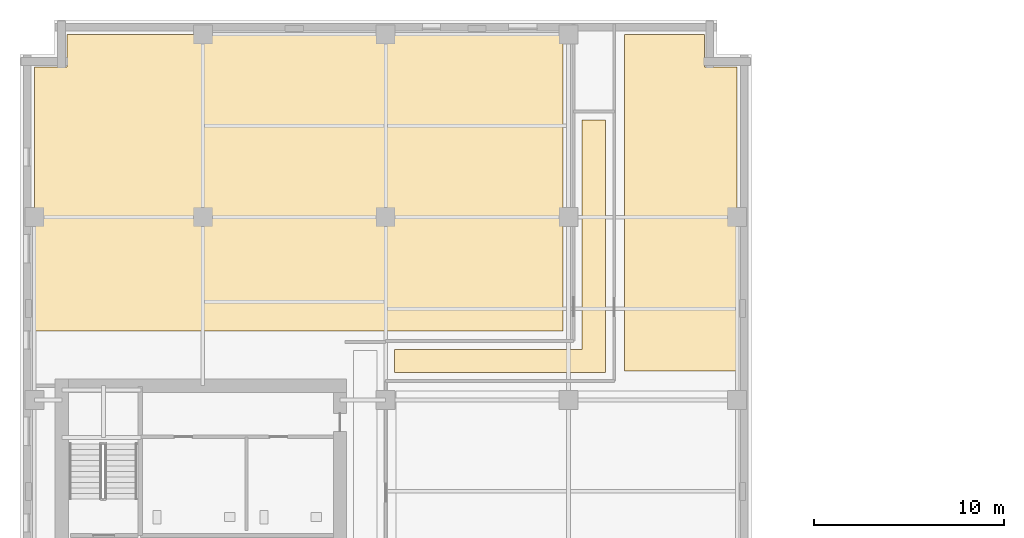
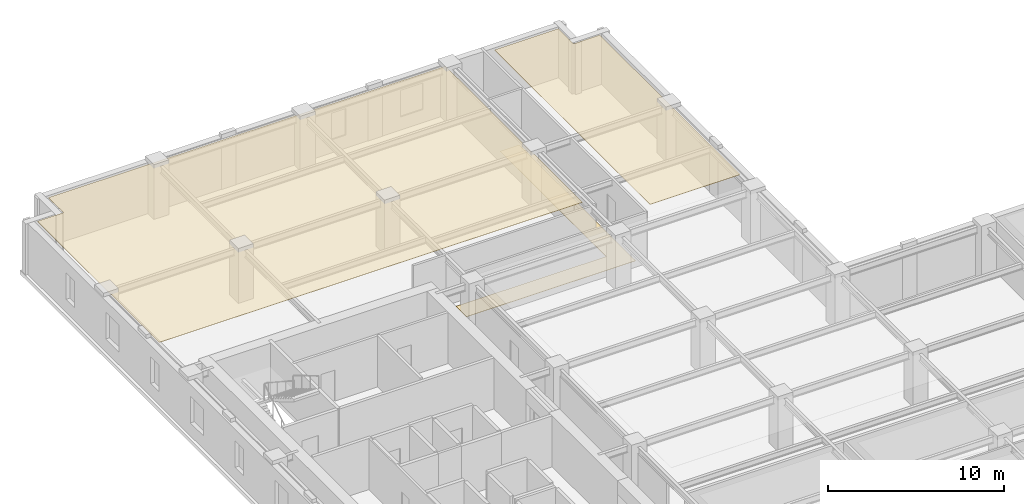
# One storey, part 11 of 12: 3 coverings.
"""IFC4 building model written with IfcOpenShell, lengths in metres."""

from ifc_helpers import new_model, si_unit, direction, frame, origin, place, context, subcontext, project, spatial, polyline, outline, extrude, material, layer, layer_set, type_object, element, save


model = new_model("IFC4")

# Units and contexts
model_context = context("Model", 3, precision=1e-05, world=origin(), true_north=direction((0.0, 1.0)))
body_context = subcontext(model_context, "Body", "Model", "MODEL_VIEW")
ifc_project = project(units=[si_unit("LENGTHUNIT", "METRE"), si_unit("AREAUNIT", "SQUARE_METRE"), si_unit("VOLUMEUNIT", "CUBIC_METRE"), si_unit("PLANEANGLEUNIT", "RADIAN"), si_unit("MASSUNIT", "GRAM", prefix="KILO")], contexts=[model_context])

# Site, building, storey
site_placement = place(None, origin())
site = spatial("IfcSite", under=ifc_project, at=site_placement, CompositionType="ELEMENT")
building_placement = place(site_placement, origin())
building = spatial("IfcBuilding", under=site, at=building_placement, Name="Norrvale University Quadrangle", CompositionType="ELEMENT")
storey_placement = place(building_placement, frame((0.0, 0.0, 143.199951171875)))
storey = spatial("IfcBuildingStorey", under=building, at=storey_placement, Name="L36", CompositionType="ELEMENT", Elevation=143.199951171875)

# Coverings
ifc_material_1 = material(Name="Perforated Acoustic Mineral Ceiling")
ifc_layer_1 = layer(ifc_material_1, 0.02490234375, Name="Perforated Acoustic Mineral Ceiling")
ifc_layer_set_1 = layer_set([ifc_layer_1], Name="Perforated Acoustic Mineral Ceiling")
covering_type_1 = type_object("IfcCoveringType", Name="Covering Acoustic Ceiling 25", PredefinedType="CEILING", material=ifc_layer_set_1)
covering_1_placement = place(storey_placement, frame((0.0, 0.0, 3.51513671875)))
element("IfcCovering", 1, at=covering_1_placement, inside=storey, type_object=covering_type_1, Name="Acoustic Ceiling RM-L36-NE01", PredefinedType="CEILING", context=body_context, shape_type="SweptSolid", body=[
    extrude(outline(polyline([(37.64990234375, 48.780029296875), (31.72998046875, 48.780029296875), (31.72998046875, 66.449951171875), (35.929931640625, 66.449951171875), (35.929931640625, 64.72998046875), (37.64990234375, 64.72998046875), (37.64990234375, 48.780029296875)])), origin(), (0.0, 0.0, 1.0), 0.02490234375),
])
covering_2_placement = place(storey_placement, frame((0.0, 0.0, 3.51513671875)))
element("IfcCovering", 2, at=covering_2_placement, inside=storey, type_object=covering_type_1, Name="Acoustic Ceiling RM-L36-NW01", PredefinedType="CEILING", context=body_context, shape_type="SweptSolid", body=[
    extrude(outline(polyline([(28.52001953125, 66.449951171875), (28.52001953125, 50.8798828125), (0.75, 50.8798828125), (0.75, 64.72998046875), (2.469970703125, 64.72998046875), (2.469970703125, 66.449951171875), (28.52001953125, 66.449951171875)])), origin(), (0.0, 0.0, 1.0), 0.02490234375),
])
ifc_material_2 = material(Name="Polished Terrazzo Flooring")
ifc_layer_2 = layer(ifc_material_2, 0.02490234375, Name="Polished Terrazzo Flooring")
ifc_layer_set_2 = layer_set([ifc_layer_2], Name="Polished Terrazzo Flooring")
covering_type_2 = type_object("IfcCoveringType", Name="Covering Terrazzo Floor 30", PredefinedType="FLOORING", material=ifc_layer_set_2)
covering_3_placement = place(storey_placement, origin())
element("IfcCovering", 3, at=covering_3_placement, inside=storey, type_object=covering_type_2, Name="Terrazzo Flooring RM-L36-NCJOG", PredefinedType="FLOORING", context=body_context, shape_type="SweptSolid", body=[
    extrude(outline(polyline([(19.64990234375, 48.699951171875), (19.64990234375, 49.89990234375), (29.5, 49.89990234375), (29.5, 61.949951171875), (30.75, 61.949951171875), (30.75, 48.699951171875), (19.64990234375, 48.699951171875)])), origin(), (0.0, 0.0, 1.0), 0.025146484375),
])

save(model, "model.ifc")
